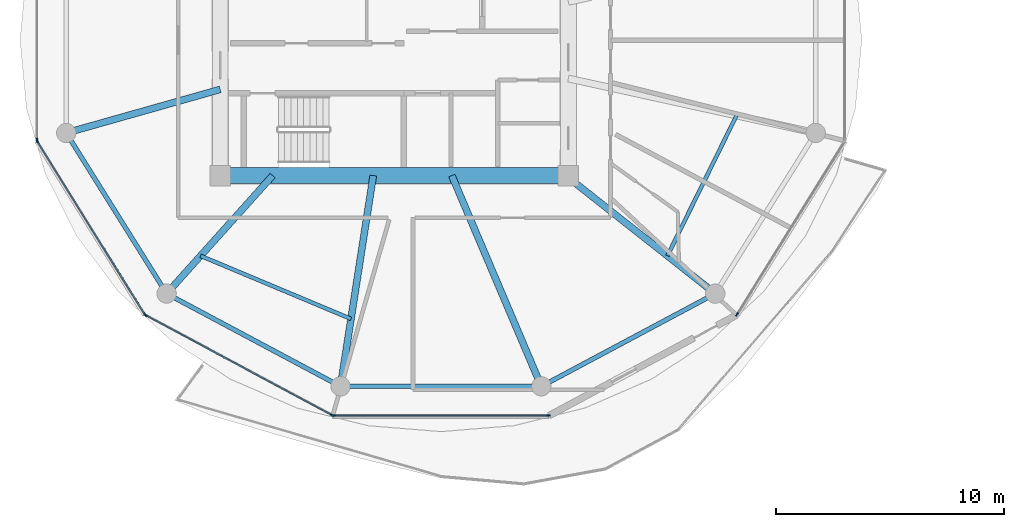
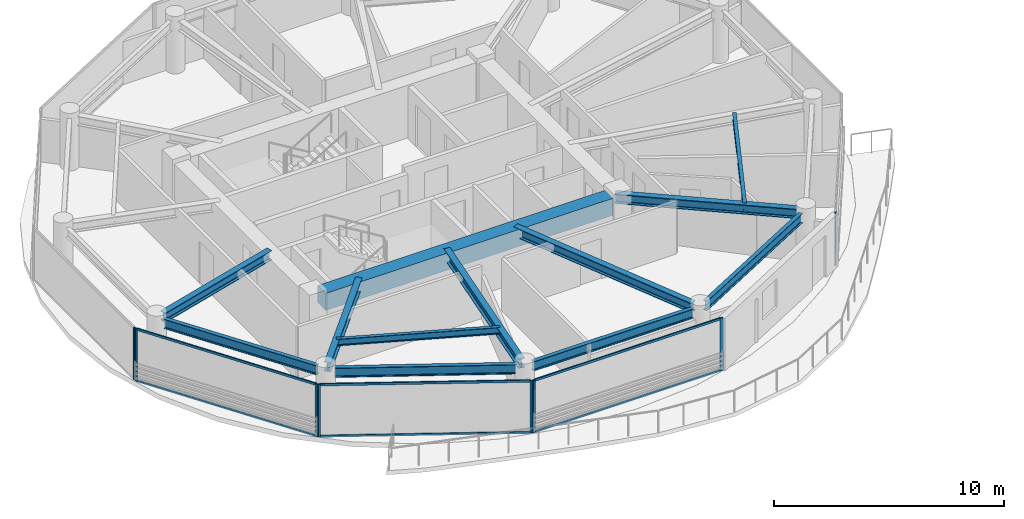
# One storey, part 2 of 24: 14 members, 12 beams, 5 elements without a shape of their own.
"""IFC4 building model written with IfcOpenShell, lengths in metres."""

from ifc_helpers import new_model, si_unit, direction, frame, origin, origin_2d, place, context, subcontext, project, spatial, rectangle, i_section, extrude, source, transform, mapped, material, layer, layer_set, material_profile, profile_set, type_object, type_shapes, element, aggregate, save


model = new_model("IFC4")

# Units and contexts
model_context = context("Model", 3, precision=1e-05, world=origin(), true_north=direction((0.0, 1.0)))
body_context = subcontext(model_context, "Body", "Model", "MODEL_VIEW")
ifc_project = project(units=[si_unit("LENGTHUNIT", "METRE"), si_unit("AREAUNIT", "SQUARE_METRE"), si_unit("VOLUMEUNIT", "CUBIC_METRE"), si_unit("PLANEANGLEUNIT", "RADIAN"), si_unit("MASSUNIT", "GRAM", prefix="KILO")], contexts=[model_context])

# Site, building, storey
site_placement = place(None, origin())
site = spatial("IfcSite", under=ifc_project, at=site_placement, CompositionType="ELEMENT")
building_placement = place(site_placement, origin())
building = spatial("IfcBuilding", under=site, at=building_placement, Name="Norrkilde Senior Care Towers", CompositionType="ELEMENT")
storey_placement = place(building_placement, frame((0.0, 0.0, 111.5)))
storey = spatial("IfcBuildingStorey", under=building, at=storey_placement, Name="L34", CompositionType="ELEMENT", Elevation=111.5)

# Beams
ifc_material_1 = material(Name="Concrete C60/75", Category="concrete")
ifc_material_profile_1 = material_profile(ifc_material_1, rectangle(XDim=0.699951171875, YDim=0.89990234375, at=origin_2d()), Name="RC BM 700x900")
ifc_profile_set_1 = profile_set([ifc_material_profile_1], Name="Concrete C60/75")
beam_type_1 = type_object("IfcBeamType", Name="Core Coupling Girder 700x900", PredefinedType="USERDEFINED", material=ifc_profile_set_1)
shared_shape_1 = source(origin(), body_context, "Body", "SweptSolid", [
    extrude(rectangle(XDim=0.699951171875, YDim=0.89990234375, at=origin_2d()), origin(), (0.0, 0.0, 1.0), 14.43994140625),
])
type_shapes(beam_type_1, [shared_shape_1])
beam_1_placement = place(storey_placement, frame((-35.219970703125, -5.949951171875, 2.340087890625), z_axis=(1.0, 0.0, 0.0), x_axis=(0.0, 1.0, 0.0)))
element("IfcBeam", 1, at=beam_1_placement, inside=storey, type_object=beam_type_1, Name="L34 Core W S Coupling Girder", ObjectType="GIRDER", PredefinedType="USERDEFINED", context=body_context, shape_type="MappedRepresentation", body=[
    mapped(shared_shape_1, transform((0.0, 0.0, 0.0), x_axis=(1.0, 0.0, 0.0), y_axis=(0.0, 1.0, 0.0), z_axis=(0.0, 0.0, 1.0), scale=1.0)),
])
ifc_material_2 = material(Name="Steel S355", Category="steel")
ifc_material_profile_2 = material_profile(ifc_material_2, i_section(OverallWidth=0.199951171875, OverallDepth=0.5, WebThickness=0.01025390625, FlangeThickness=0.01611328125, FilletRadius=0.02099609375, at=origin_2d()), Name="IPE 500")
ifc_profile_set_2 = profile_set([ifc_material_profile_2], Name="Steel S355")
beam_type_2 = type_object("IfcBeamType", Name="Perimeter Ring Spandrel Z2 IPE500", PredefinedType="SPANDREL", material=ifc_profile_set_2)
shared_shape_2 = source(origin(), body_context, "Body", "SweptSolid", [
    extrude(i_section(OverallWidth=0.199951171875, OverallDepth=0.5, WebThickness=0.01025390625, FlangeThickness=0.01611328125, FilletRadius=0.02099609375, at=origin_2d()), origin(), (0.0, 0.0, 1.0), 7.892333984375),
])
for number, where, z_axis, x_axis, name in (
    (2, (-37.66650390625, -11.318115234375, 2.5400390625), (0.882350372282, -0.47059305194, 0.0), (0.47059305194, 0.882350372282, 0.0), "L34 Drum W Perimeter Spandrel 08"),
    (3, (-21.197509765625, -15.0322265625, 2.5400390625), (0.882350372282, 0.47059305194, 0.0), (-0.47059305194, 0.882350372282, 0.0), "L34 Drum W Perimeter Spandrel 10"),
):
    element("IfcBeam", number, at=place(storey_placement, frame(where, z_axis=z_axis, x_axis=x_axis)), inside=storey, type_object=beam_type_2, Name=name, PredefinedType="SPANDREL", context=body_context, shape_type="MappedRepresentation", body=[
        mapped(shared_shape_2, transform((0.0, 0.0, 0.0), x_axis=(1.0, 0.0, 0.0), y_axis=(0.0, 1.0, 0.0), z_axis=(0.0, 0.0, 1.0), scale=1.0)),
    ])
ifc_material_profile_3 = material_profile(ifc_material_2, i_section(OverallWidth=0.300048828125, OverallDepth=0.5, WebThickness=0.014404296875, FlangeThickness=0.028076171875, FilletRadius=0.027099609375, at=origin_2d()), Name="HEB 500")
ifc_profile_set_3 = profile_set([ifc_material_profile_3], Name="Steel S355")
beam_type_3 = type_object("IfcBeamType", Name="Radial Floor Beam Z2 HEB500", PredefinedType="BEAM", material=ifc_profile_set_3)
shared_shape_3 = source(origin(), body_context, "Body", "SweptSolid", [
    extrude(i_section(OverallWidth=0.300048828125, OverallDepth=0.5, WebThickness=0.014404296875, FlangeThickness=0.028076171875, FilletRadius=0.027099609375, at=origin_2d()), origin(), (0.0, 0.0, 1.0), 7.985595703125),
])
beam_2_placement = place(storey_placement, frame((-20.463623046875, -5.949951171875, 2.5400390625), z_axis=(0.784858505144, -0.619675017169, 0.0), x_axis=(0.619675017169, 0.784858505144, 0.0)))
element("IfcBeam", 4, at=beam_2_placement, inside=storey, type_object=beam_type_3, Name="L34 Drum W Radial Floor Beam 11", PredefinedType="BEAM", context=body_context, shape_type="MappedRepresentation", body=[
    mapped(shared_shape_3, transform((0.0, 0.0, 0.0), x_axis=(1.0, 0.0, 0.0), y_axis=(0.0, 1.0, 0.0), z_axis=(0.0, 0.0, 1.0), scale=1.0)),
])
shared_shape_4 = source(origin(), body_context, "Body", "SweptSolid", [
    extrude(i_section(OverallWidth=0.199951171875, OverallDepth=0.5, WebThickness=0.01025390625, FlangeThickness=0.01611328125, FilletRadius=0.02099609375, at=origin_2d()), origin(), (0.0, 0.0, 1.0), 8.0556640625),
])
beam_3_placement = place(storey_placement, frame((-29.977783203125, -15.21337890625, 2.5400390625), z_axis=(1.0, 0.0, 0.0), x_axis=(0.0, 1.0, 0.0)))
element("IfcBeam", 5, at=beam_3_placement, inside=storey, type_object=beam_type_2, Name="L34 Drum W Perimeter Spandrel 09", PredefinedType="SPANDREL", context=body_context, shape_type="MappedRepresentation", body=[
    mapped(shared_shape_4, transform((0.0, 0.0, 0.0), x_axis=(1.0, 0.0, 0.0), y_axis=(0.0, 1.0, 0.0), z_axis=(0.0, 0.0, 1.0), scale=1.0)),
])
shared_shape_5 = source(origin(), body_context, "Body", "SweptSolid", [
    extrude(i_section(OverallWidth=0.300048828125, OverallDepth=0.5, WebThickness=0.014404296875, FlangeThickness=0.028076171875, FilletRadius=0.027099609375, at=origin_2d()), origin(), (0.0, 0.0, 1.0), 9.679443359375),
])
beam_4_placement = place(storey_placement, frame((-25.472412109375, -5.949951171875, 2.5400390625), z_axis=(0.390998033479, -0.920391513333, 0.0), x_axis=(0.920391513333, 0.390998033479, 0.0)))
element("IfcBeam", 6, at=beam_4_placement, inside=storey, type_object=beam_type_3, Name="L34 Drum W Radial Floor Beam 10", PredefinedType="BEAM", context=body_context, shape_type="MappedRepresentation", body=[
    mapped(shared_shape_5, transform((0.0, 0.0, 0.0), x_axis=(1.0, 0.0, 0.0), y_axis=(0.0, 1.0, 0.0), z_axis=(0.0, 0.0, 1.0), scale=1.0)),
])
shared_shape_6 = source(origin(), body_context, "Body", "SweptSolid", [
    extrude(i_section(OverallWidth=0.300048828125, OverallDepth=0.5, WebThickness=0.014404296875, FlangeThickness=0.028076171875, FilletRadius=0.027099609375, at=origin_2d()), origin(), (0.0, 0.0, 1.0), 8.989501953125),
])
beam_5_placement = place(storey_placement, frame((-28.924072265625, -5.949951171875, 2.5400390625), z_axis=(-0.153471298636, -0.988153105796, 0.0), x_axis=(0.988153105796, -0.153471298636, 0.0)))
element("IfcBeam", 7, at=beam_5_placement, inside=storey, type_object=beam_type_3, Name="L34 Drum W Radial Floor Beam 09", PredefinedType="BEAM", context=body_context, shape_type="MappedRepresentation", body=[
    mapped(shared_shape_6, transform((0.0, 0.0, 0.0), x_axis=(1.0, 0.0, 0.0), y_axis=(0.0, 1.0, 0.0), z_axis=(0.0, 0.0, 1.0), scale=1.0)),
])
shared_shape_7 = source(origin(), body_context, "Body", "SweptSolid", [
    extrude(i_section(OverallWidth=0.199951171875, OverallDepth=0.5, WebThickness=0.01025390625, FlangeThickness=0.01611328125, FilletRadius=0.02099609375, at=origin_2d()), origin(), (0.0, 0.0, 1.0), 7.556396484375),
])
type_shapes(beam_type_2, [shared_shape_2, shared_shape_4, shared_shape_7])
beam_6_placement = place(storey_placement, frame((-42.215087890625, -4.40283203125, 2.5400390625), z_axis=(0.530004748437, -0.847994673706, 0.0), x_axis=(0.847994673706, 0.530004748437, 0.0)))
element("IfcBeam", 8, at=beam_6_placement, inside=storey, type_object=beam_type_2, Name="L34 Drum W Perimeter Spandrel 07", PredefinedType="SPANDREL", context=body_context, shape_type="MappedRepresentation", body=[
    mapped(shared_shape_7, transform((0.0, 0.0, 0.0), x_axis=(1.0, 0.0, 0.0), y_axis=(0.0, 1.0, 0.0), z_axis=(0.0, 0.0, 1.0), scale=1.0)),
])
shared_shape_8 = source(origin(), body_context, "Body", "SweptSolid", [
    extrude(i_section(OverallWidth=0.300048828125, OverallDepth=0.5, WebThickness=0.014404296875, FlangeThickness=0.028076171875, FilletRadius=0.027099609375, at=origin_2d()), origin(), (0.0, 0.0, 1.0), 6.587890625),
])
beam_7_placement = place(storey_placement, frame((-33.345947265625, -5.949951171875, 2.5400390625), z_axis=(-0.668315438605, -0.743877997068, 0.0), x_axis=(0.743877997068, -0.668315438605, 0.0)))
element("IfcBeam", 9, at=beam_7_placement, inside=storey, type_object=beam_type_3, Name="L34 Drum W Radial Floor Beam 08", PredefinedType="BEAM", context=body_context, shape_type="MappedRepresentation", body=[
    mapped(shared_shape_8, transform((0.0, 0.0, 0.0), x_axis=(1.0, 0.0, 0.0), y_axis=(0.0, 1.0, 0.0), z_axis=(0.0, 0.0, 1.0), scale=1.0)),
])
shared_shape_9 = source(origin(), body_context, "Body", "SweptSolid", [
    extrude(i_section(OverallWidth=0.300048828125, OverallDepth=0.5, WebThickness=0.014404296875, FlangeThickness=0.028076171875, FilletRadius=0.027099609375, at=origin_2d()), origin(), (0.0, 0.0, 1.0), 6.6494140625),
])
type_shapes(beam_type_3, [shared_shape_3, shared_shape_5, shared_shape_6, shared_shape_8, shared_shape_9])
beam_8_placement = place(storey_placement, frame((-35.64990234375, -2.162841796875, 2.5400390625), z_axis=(-0.962289138357, -0.27202870106, 0.0), x_axis=(0.27202870106, -0.962289138357, 0.0)))
element("IfcBeam", 10, at=beam_8_placement, inside=storey, type_object=beam_type_3, Name="L34 Drum W Radial Floor Beam 07", PredefinedType="BEAM", context=body_context, shape_type="MappedRepresentation", body=[
    mapped(shared_shape_9, transform((0.0, 0.0, 0.0), x_axis=(1.0, 0.0, 0.0), y_axis=(0.0, 1.0, 0.0), z_axis=(0.0, 0.0, 1.0), scale=1.0)),
])
ifc_material_profile_4 = material_profile(ifc_material_2, i_section(OverallWidth=0.169921875, OverallDepth=0.360107421875, WebThickness=0.008056640625, FlangeThickness=0.0126953125, FilletRadius=0.01806640625, at=origin_2d()), Name="IPE 360")
ifc_profile_set_4 = profile_set([ifc_material_profile_4], Name="Steel S355")
beam_type_4 = type_object("IfcBeamType", Name="Secondary Floor Joist IPE360", PredefinedType="JOIST", material=ifc_profile_set_4)
shared_shape_10 = source(origin(), body_context, "Body", "SweptSolid", [
    extrude(i_section(OverallWidth=0.169921875, OverallDepth=0.360107421875, WebThickness=0.008056640625, FlangeThickness=0.0126953125, FilletRadius=0.01806640625, at=origin_2d()), origin(), (0.0, 0.0, 1.0), 7.169921875),
])
beam_9_placement = place(storey_placement, frame((-36.514892578125, -9.47705078125, 2.610107421875), z_axis=(0.922240600393, -0.386616444279, 0.0), x_axis=(0.386616444279, 0.922240600393, 0.0)))
element("IfcBeam", 11, at=beam_9_placement, inside=storey, type_object=beam_type_4, Name="L34 Drum W Secondary Floor Joist 3", PredefinedType="JOIST", context=body_context, shape_type="MappedRepresentation", body=[
    mapped(shared_shape_10, transform((0.0, 0.0, 0.0), x_axis=(1.0, 0.0, 0.0), y_axis=(0.0, 1.0, 0.0), z_axis=(0.0, 0.0, 1.0), scale=1.0)),
])
shared_shape_11 = source(origin(), body_context, "Body", "SweptSolid", [
    extrude(i_section(OverallWidth=0.169921875, OverallDepth=0.360107421875, WebThickness=0.008056640625, FlangeThickness=0.0126953125, FilletRadius=0.01806640625, at=origin_2d()), origin(), (0.0, 0.0, 1.0), 6.87353515625),
])
type_shapes(beam_type_4, [shared_shape_10, shared_shape_11])
beam_10_placement = place(storey_placement, frame((-15.99609375, -9.47705078125, 2.610107421875), z_axis=(0.44184939592, 0.897089243791, 0.0), x_axis=(-0.897089243791, 0.44184939592, 0.0)))
element("IfcBeam", 12, at=beam_10_placement, inside=storey, type_object=beam_type_4, Name="L34 Drum W Secondary Floor Joist 4", PredefinedType="JOIST", context=body_context, shape_type="MappedRepresentation", body=[
    mapped(shared_shape_11, transform((0.0, 0.0, 0.0), x_axis=(1.0, 0.0, 0.0), y_axis=(0.0, 1.0, 0.0), z_axis=(0.0, 0.0, 1.0), scale=1.0)),
])

# Curtain wall, member
ifc_material_3 = material(Name="Triple Low-E Insulated Glazing", Category="glass")
ifc_layer = layer(ifc_material_3, 0.195068359375)
ifc_layer_set = layer_set([ifc_layer], Name="Triple Low-E Insulated Glazing")
curtain_wall_type = type_object("IfcCurtainWallType", Name="CW3 Zone 2 Assisted Living Curtain Wall", PredefinedType="NOTDEFINED", material=ifc_layer_set)
curtain_wall_1_placement = place(storey_placement, origin())
curtain_wall_1 = element("IfcCurtainWall", 13, at=curtain_wall_1_placement, inside=storey, type_object=curtain_wall_type, Name="L34 Drum W Curtain Wall 05", PredefinedType="NOTDEFINED")
ifc_material_4 = material(Name="Anodised Aluminium", Category="aluminium")
ifc_material_profile_5 = material_profile(ifc_material_4, rectangle(XDim=0.06494140625, YDim=0.159912109375, at=origin_2d()), Name="ALU MULL 65x160")
ifc_profile_set_5 = profile_set([ifc_material_profile_5], Name="Anodised Aluminium")
member_type_1 = type_object("IfcMemberType", Name="Curtain Wall Mullion Z1-Z2 65x160", PredefinedType="MULLION", material=ifc_profile_set_5)
shared_shape_12 = source(origin(), body_context, "Body", "SweptSolid", [
    extrude(rectangle(XDim=0.06494140625, YDim=0.159912109375, at=origin_2d()), origin(), (0.0, 0.0, 1.0), 2.7900390625),
])
type_shapes(member_type_1, [shared_shape_12])
member_1_placement = place(storey_placement, frame((-43.70361328125, -4.38818359375, 0.0), z_axis=(0.0, 0.0, 1.0), x_axis=(-1.0, 0.0, 0.0)))
member_1 = element("IfcMember", 14, at=member_1_placement, type_object=member_type_1, Name="CW-3 mullion 1", PredefinedType="MULLION", context=body_context, shape_type="MappedRepresentation", body=[
    mapped(shared_shape_12, transform((0.0, 0.0, 0.0), x_axis=(1.0, 0.0, 0.0), y_axis=(0.0, 1.0, 0.0), z_axis=(0.0, 0.0, 1.0), scale=1.0)),
])
aggregate(curtain_wall_1, [member_1])

# Curtain wall, members
curtain_wall_2_placement = place(storey_placement, origin())
curtain_wall_2 = element("IfcCurtainWall", 15, at=curtain_wall_2_placement, inside=storey, type_object=curtain_wall_type, Name="L34 Drum W Curtain Wall 06", PredefinedType="NOTDEFINED")
member_2_placement = place(storey_placement, frame((-38.9638671875, -12.0498046875, 0.0), z_axis=(0.0, 0.0, 1.0), x_axis=(-0.849410171862, -0.527733228002, 0.0)))
member_2 = element("IfcMember", 16, at=member_2_placement, type_object=member_type_1, Name="CW-3 mullion 1", PredefinedType="MULLION", context=body_context, shape_type="MappedRepresentation", body=[
    mapped(shared_shape_12, transform((0.0, 0.0, 0.0), x_axis=(1.0, 0.0, 0.0), y_axis=(0.0, 1.0, 0.0), z_axis=(0.0, 0.0, 1.0), scale=1.0)),
])
member_3_placement = place(storey_placement, frame((-43.6865234375, -4.4482421875, 0.0), z_axis=(0.0, 0.0, 1.0), x_axis=(-0.849410171862, -0.527733228002, 0.0)))
member_3 = element("IfcMember", 17, at=member_3_placement, type_object=member_type_1, Name="CW-3 mullion 2", PredefinedType="MULLION", context=body_context, shape_type="MappedRepresentation", body=[
    mapped(shared_shape_12, transform((0.0, 0.0, 0.0), x_axis=(1.0, 0.0, 0.0), y_axis=(0.0, 1.0, 0.0), z_axis=(0.0, 0.0, 1.0), scale=1.0)),
])

curtain_wall_3_placement = place(storey_placement, origin())
curtain_wall_3 = element("IfcCurtainWall", 18, at=curtain_wall_3_placement, inside=storey, type_object=curtain_wall_type, Name="L34 Drum W Curtain Wall 07", PredefinedType="NOTDEFINED")
member_4_placement = place(storey_placement, frame((-30.73583984375, -16.482666015625, 0.0), z_axis=(0.0, 0.0, 1.0), x_axis=(-0.472769402511, -0.881186184668, 0.0)))
member_4 = element("IfcMember", 19, at=member_4_placement, type_object=member_type_1, Name="CW-3 mullion 1", PredefinedType="MULLION", context=body_context, shape_type="MappedRepresentation", body=[
    mapped(shared_shape_12, transform((0.0, 0.0, 0.0), x_axis=(1.0, 0.0, 0.0), y_axis=(0.0, 1.0, 0.0), z_axis=(0.0, 0.0, 1.0), scale=1.0)),
])
member_5_placement = place(storey_placement, frame((-38.91796875, -12.0927734375, 0.0), z_axis=(0.0, 0.0, 1.0), x_axis=(-0.472769402511, -0.881186184668, 0.0)))
member_5 = element("IfcMember", 20, at=member_5_placement, type_object=member_type_1, Name="CW-3 mullion 2", PredefinedType="MULLION", context=body_context, shape_type="MappedRepresentation", body=[
    mapped(shared_shape_12, transform((0.0, 0.0, 0.0), x_axis=(1.0, 0.0, 0.0), y_axis=(0.0, 1.0, 0.0), z_axis=(0.0, 0.0, 1.0), scale=1.0)),
])

curtain_wall_4_placement = place(storey_placement, origin())
curtain_wall_4 = element("IfcCurtainWall", 21, at=curtain_wall_4_placement, inside=storey, type_object=curtain_wall_type, Name="L34 Drum W Curtain Wall 08", PredefinedType="NOTDEFINED")
member_6_placement = place(storey_placement, frame((-21.225341796875, -16.498046875, 0.0), z_axis=(0.0, 0.0, 1.0), x_axis=(0.0, -1.0, 0.0)))
member_6 = element("IfcMember", 22, at=member_6_placement, type_object=member_type_1, Name="CW-3 mullion 1", PredefinedType="MULLION", context=body_context, shape_type="MappedRepresentation", body=[
    mapped(shared_shape_12, transform((0.0, 0.0, 0.0), x_axis=(1.0, 0.0, 0.0), y_axis=(0.0, 1.0, 0.0), z_axis=(0.0, 0.0, 1.0), scale=1.0)),
])
member_7_placement = place(storey_placement, frame((-30.674560546875, -16.498046875, 0.0), z_axis=(0.0, 0.0, 1.0), x_axis=(0.0, -1.0, 0.0)))
member_7 = element("IfcMember", 23, at=member_7_placement, type_object=member_type_1, Name="CW-3 mullion 2", PredefinedType="MULLION", context=body_context, shape_type="MappedRepresentation", body=[
    mapped(shared_shape_12, transform((0.0, 0.0, 0.0), x_axis=(1.0, 0.0, 0.0), y_axis=(0.0, 1.0, 0.0), z_axis=(0.0, 0.0, 1.0), scale=1.0)),
])

# Curtain wall, member
curtain_wall_5_placement = place(storey_placement, origin())
curtain_wall_5 = element("IfcCurtainWall", 24, at=curtain_wall_5_placement, inside=storey, type_object=curtain_wall_type, Name="L34 Drum W Curtain Wall 10", PredefinedType="NOTDEFINED")
member_8_placement = place(storey_placement, frame((-12.936279296875, -12.0498046875, 0.0), z_axis=(0.0, 0.0, 1.0), x_axis=(0.849410171862, -0.527733228002, 0.0)))
member_8 = element("IfcMember", 25, at=member_8_placement, type_object=member_type_1, Name="CW-3 mullion 2", PredefinedType="MULLION", context=body_context, shape_type="MappedRepresentation", body=[
    mapped(shared_shape_12, transform((0.0, 0.0, 0.0), x_axis=(1.0, 0.0, 0.0), y_axis=(0.0, 1.0, 0.0), z_axis=(0.0, 0.0, 1.0), scale=1.0)),
])
aggregate(curtain_wall_5, [member_8])

# Member
ifc_material_profile_6 = material_profile(ifc_material_4, rectangle(XDim=0.06005859375, YDim=0.1201171875, at=origin_2d()), Name="ALU TRAN 60x120")
ifc_profile_set_6 = profile_set([ifc_material_profile_6], Name="Anodised Aluminium")
member_type_2 = type_object("IfcMemberType", Name="Curtain Wall Transom Typical 60x120", PredefinedType="USERDEFINED", material=ifc_profile_set_6)
shared_shape_13 = source(origin(), body_context, "Body", "SweptSolid", [
    extrude(rectangle(XDim=0.06005859375, YDim=0.1201171875, at=origin_2d()), origin(), (0.0, 0.0, 1.0), 8.88427734375),
])
member_9_placement = place(storey_placement, frame((-38.98095703125, -12.022216796875, 0.030029296875), z_axis=(-0.527729466743, 0.849412508697, 0.0), x_axis=(-0.849412508697, -0.527729466743, 0.0)))
member_9 = element("IfcMember", 26, at=member_9_placement, type_object=member_type_2, Name="CW-3 transom 1.1", ObjectType="TRANSOM", PredefinedType="USERDEFINED", context=body_context, shape_type="MappedRepresentation", body=[
    mapped(shared_shape_13, transform((0.0, 0.0, 0.0), x_axis=(1.0, 0.0, 0.0), y_axis=(0.0, 1.0, 0.0), z_axis=(0.0, 0.0, 1.0), scale=1.0)),
])

member_10_placement = place(storey_placement, frame((-38.98095703125, -12.022216796875, 2.760009765625), z_axis=(-0.527729466743, 0.849412508697, 0.0), x_axis=(-0.849412508697, -0.527729466743, 0.0)))
member_10 = element("IfcMember", 27, at=member_10_placement, type_object=member_type_2, Name="CW-3 transom 1.2", ObjectType="TRANSOM", PredefinedType="USERDEFINED", context=body_context, shape_type="MappedRepresentation", body=[
    mapped(shared_shape_13, transform((0.0, 0.0, 0.0), x_axis=(1.0, 0.0, 0.0), y_axis=(0.0, 1.0, 0.0), z_axis=(0.0, 0.0, 1.0), scale=1.0)),
])

aggregate(curtain_wall_2, [member_2, member_3, member_9, member_10])

shared_shape_14 = source(origin(), body_context, "Body", "SweptSolid", [
    extrude(rectangle(XDim=0.06005859375, YDim=0.1201171875, at=origin_2d()), origin(), (0.0, 0.0, 1.0), 9.220458984375),
])
member_11_placement = place(storey_placement, frame((-30.764404296875, -16.46728515625, 0.030029296875), z_axis=(-0.881188517866, 0.472765053681, 0.0), x_axis=(-0.472765053681, -0.881188517866, 0.0)))
member_11 = element("IfcMember", 28, at=member_11_placement, type_object=member_type_2, Name="CW-3 transom 1.1", ObjectType="TRANSOM", PredefinedType="USERDEFINED", context=body_context, shape_type="MappedRepresentation", body=[
    mapped(shared_shape_14, transform((0.0, 0.0, 0.0), x_axis=(1.0, 0.0, 0.0), y_axis=(0.0, 1.0, 0.0), z_axis=(0.0, 0.0, 1.0), scale=1.0)),
])

member_12_placement = place(storey_placement, frame((-30.764404296875, -16.46728515625, 2.760009765625), z_axis=(-0.881188517866, 0.472765053681, 0.0), x_axis=(-0.472765053681, -0.881188517866, 0.0)))
member_12 = element("IfcMember", 29, at=member_12_placement, type_object=member_type_2, Name="CW-3 transom 1.2", ObjectType="TRANSOM", PredefinedType="USERDEFINED", context=body_context, shape_type="MappedRepresentation", body=[
    mapped(shared_shape_14, transform((0.0, 0.0, 0.0), x_axis=(1.0, 0.0, 0.0), y_axis=(0.0, 1.0, 0.0), z_axis=(0.0, 0.0, 1.0), scale=1.0)),
])

aggregate(curtain_wall_3, [member_4, member_5, member_11, member_12])

shared_shape_15 = source(origin(), body_context, "Body", "SweptSolid", [
    extrude(rectangle(XDim=0.06005859375, YDim=0.1201171875, at=origin_2d()), origin(), (0.0, 0.0, 1.0), 9.38427734375),
])
type_shapes(member_type_2, [shared_shape_13, shared_shape_14, shared_shape_15])
member_13_placement = place(storey_placement, frame((-21.2578125, -16.498046875, 0.030029296875), z_axis=(-1.0, 0.0, 0.0), x_axis=(0.0, -1.0, 0.0)))
member_13 = element("IfcMember", 30, at=member_13_placement, type_object=member_type_2, Name="CW-3 transom 1.1", ObjectType="TRANSOM", PredefinedType="USERDEFINED", context=body_context, shape_type="MappedRepresentation", body=[
    mapped(shared_shape_15, transform((0.0, 0.0, 0.0), x_axis=(1.0, 0.0, 0.0), y_axis=(0.0, 1.0, 0.0), z_axis=(0.0, 0.0, 1.0), scale=1.0)),
])

member_14_placement = place(storey_placement, frame((-21.2578125, -16.498046875, 2.760009765625), z_axis=(-1.0, 0.0, 0.0), x_axis=(0.0, -1.0, 0.0)))
member_14 = element("IfcMember", 31, at=member_14_placement, type_object=member_type_2, Name="CW-3 transom 1.2", ObjectType="TRANSOM", PredefinedType="USERDEFINED", context=body_context, shape_type="MappedRepresentation", body=[
    mapped(shared_shape_15, transform((0.0, 0.0, 0.0), x_axis=(1.0, 0.0, 0.0), y_axis=(0.0, 1.0, 0.0), z_axis=(0.0, 0.0, 1.0), scale=1.0)),
])

aggregate(curtain_wall_4, [member_6, member_7, member_13, member_14])

save(model, "model.ifc")
